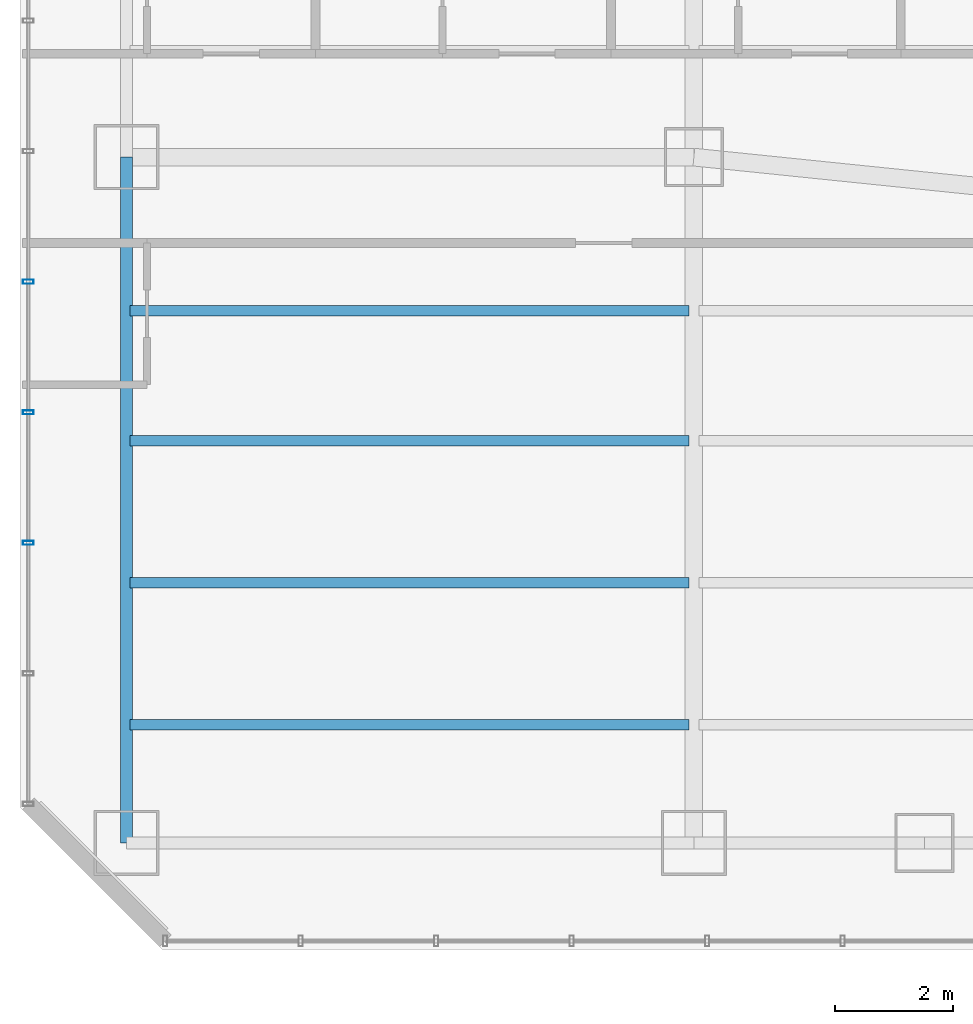
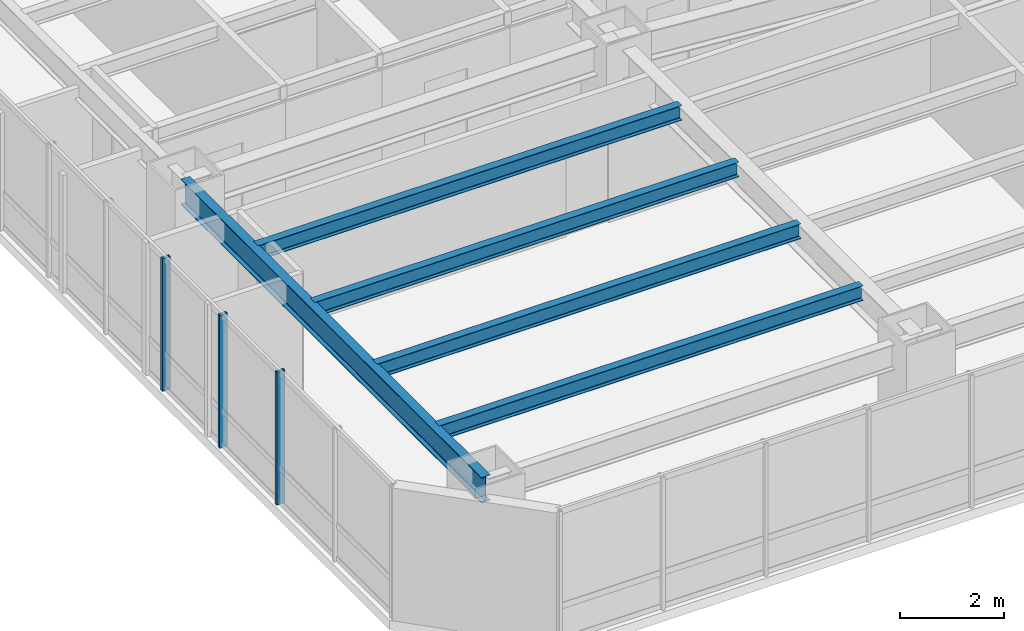
# One storey, part 5 of 33: 5 beams, 3 members, 1 element without a shape of its own.
"""IFC4 building model written with IfcOpenShell, lengths in metres."""

from ifc_helpers import new_model, si_unit, direction, frame, origin, origin_2d, place, context, subcontext, project, spatial, hollow_rectangle, i_section, extrude, material, layer, layer_set, material_profile, profile_set, type_object, element, aggregate, save


model = new_model("IFC4")

# Units and contexts
model_context = context("Model", 3, precision=1e-05, world=origin(), true_north=direction((0.0, 1.0)))
body_context = subcontext(model_context, "Body", "Model", "MODEL_VIEW")
ifc_project = project(units=[si_unit("LENGTHUNIT", "METRE"), si_unit("AREAUNIT", "SQUARE_METRE"), si_unit("VOLUMEUNIT", "CUBIC_METRE"), si_unit("PLANEANGLEUNIT", "RADIAN"), si_unit("MASSUNIT", "GRAM", prefix="KILO")], contexts=[model_context])

# Site, building, storey
site_placement = place(None, origin())
site = spatial("IfcSite", under=ifc_project, at=site_placement, CompositionType="ELEMENT")
building_placement = place(site_placement, origin())
building = spatial("IfcBuilding", under=site, at=building_placement, Name="Hatsunagi Terrace Concourse", CompositionType="ELEMENT")
storey_placement = place(building_placement, frame((0.0, 0.0, 43.300048828125)))
storey = spatial("IfcBuildingStorey", under=building, at=storey_placement, Name="L10", CompositionType="ELEMENT", Elevation=43.300048828125)

# Curtain wall, members
ifc_material_1 = material(Name="Anodised Aluminium Alloy 6063-T5", Category="aluminium")
ifc_layer = layer(ifc_material_1, 0.199951171875)
ifc_layer_set = layer_set([ifc_layer], Name="HotelFacade_CW02")
curtain_wall_type = type_object("IfcCurtainWallType", Name="HotelFacade_CW02", PredefinedType="NOTDEFINED", material=ifc_layer_set)
curtain_wall_placement = place(storey_placement, origin())
curtain_wall = element("IfcCurtainWall", 1, at=curtain_wall_placement, inside=storey, type_object=curtain_wall_type, Name="Unitised Curtain Wall CW-02 CW-L10-09", PredefinedType="NOTDEFINED")
ifc_material_2 = material(Name="Anodised Aluminium Alloy 6063-T5", Category="aluminium")
ifc_material_profile_1 = material_profile(ifc_material_2, hollow_rectangle(XDim=0.070068359375, YDim=0.179931640625, WallThickness=0.00390625, at=origin_2d()), Name="ALU-MUL-180x70x4")
ifc_profile_set_1 = profile_set([ifc_material_profile_1], Name="Anodised Aluminium Alloy 6063-T5")
member_type = type_object("IfcMemberType", Name="CurtainWallMullion_180x70", PredefinedType="MULLION", material=ifc_profile_set_1)
member_1_placement = place(storey_placement, frame((0.139892578125, 30.27490234375, 0.0), z_axis=(0.0, 0.0, 1.0), x_axis=(0.0, 1.0, 0.0)))
member_1 = element("IfcMember", 2, at=member_1_placement, type_object=member_type, Name="Curtain Wall Mullion MUL-02", PredefinedType="MULLION", context=body_context, shape_type="SweptSolid", body=[
    extrude(hollow_rectangle(XDim=0.070068359375, YDim=0.179931640625, WallThickness=0.00390625, at=origin_2d()), origin(), (0.0, 0.0, 1.0), 3.1298828125),
])
member_2_placement = place(storey_placement, frame((0.139892578125, 32.48291015625, 0.0), z_axis=(0.0, 0.0, 1.0), x_axis=(0.0, 1.0, 0.0)))
member_2 = element("IfcMember", 3, at=member_2_placement, type_object=member_type, Name="Curtain Wall Mullion MUL-02", PredefinedType="MULLION", context=body_context, shape_type="SweptSolid", body=[
    extrude(hollow_rectangle(XDim=0.070068359375, YDim=0.179931640625, WallThickness=0.00390625, at=origin_2d()), origin(), (0.0, 0.0, 1.0), 3.1298828125),
])
member_3_placement = place(storey_placement, frame((0.139892578125, 34.69189453125, 0.0), z_axis=(0.0, 0.0, 1.0), x_axis=(0.0, 1.0, 0.0)))
member_3 = element("IfcMember", 4, at=member_3_placement, type_object=member_type, Name="Curtain Wall Mullion MUL-02", PredefinedType="MULLION", context=body_context, shape_type="SweptSolid", body=[
    extrude(hollow_rectangle(XDim=0.070068359375, YDim=0.179931640625, WallThickness=0.00390625, at=origin_2d()), origin(), (0.0, 0.0, 1.0), 3.1298828125),
])
aggregate(curtain_wall, [member_1, member_2, member_3])

# Beams
ifc_material_3 = material(Name="Steel SN490B", Category="steel")
ifc_material_profile_2 = material_profile(ifc_material_3, i_section(OverallWidth=0.175048828125, OverallDepth=0.35009765625, WebThickness=0.007080078125, FlangeThickness=0.010986328125, FilletRadius=0.012939453125, at=origin_2d()), Name="H-350x175x7x11")
ifc_profile_set_2 = profile_set([ifc_material_profile_2], Name="Steel SN490B")
beam_type_1 = type_object("IfcBeamType", Name="HotelJoist_H_350x175", PredefinedType="JOIST", material=ifc_profile_set_2)
for number, where, z_axis, x_axis, name in (
    (5, (1.864990234375, 27.199951171875, 2.954833984375), (1.0, 0.0, 0.0), (0.0, 1.0, 0.0), "Beam J-02 J-L10-W-1-272"),
    (6, (1.864990234375, 29.60009765625, 2.954833984375), (1.0, 0.0, 0.0), (0.0, 1.0, 0.0), "Beam J-02 J-L10-W-1-296"),
    (7, (1.864990234375, 32.0, 2.954833984375), (1.0, 0.0, 0.0), (0.0, 1.0, 0.0), "Beam J-02 J-L10-W-1-320"),
    (8, (1.864990234375, 34.199951171875, 2.954833984375), (1.0, 0.0, 0.0), (0.0, 1.0, 0.0), "Beam J-02 J-L10-W-1-342"),
):
    element("IfcBeam", number, at=place(storey_placement, frame(where, z_axis=z_axis, x_axis=x_axis)), inside=storey, type_object=beam_type_1, Name=name, PredefinedType="JOIST", context=body_context, shape_type="SweptSolid", body=[
        extrude(i_section(OverallWidth=0.175048828125, OverallDepth=0.35009765625, WebThickness=0.007080078125, FlangeThickness=0.010986328125, FilletRadius=0.012939453125, at=origin_2d()), origin(), (0.0, 0.0, 1.0), 9.449951171875),
    ])
ifc_material_4 = material(Name="Steel SN490B", Category="steel")
ifc_material_profile_3 = material_profile(ifc_material_4, i_section(OverallWidth=0.199951171875, OverallDepth=0.60009765625, WebThickness=0.010986328125, FlangeThickness=0.01708984375, FilletRadius=0.01806640625, at=origin_2d()), Name="H-600x200x11x17")
ifc_profile_set_3 = profile_set([ifc_material_profile_3], Name="Steel SN490B")
beam_type_2 = type_object("IfcBeamType", Name="PerimeterSpandrel_H_600x200", PredefinedType="SPANDREL", material=ifc_profile_set_3)
beam_placement = place(storey_placement, frame((1.800048828125, 25.199951171875, 2.829833984375), z_axis=(0.0, 1.0, 0.0), x_axis=(-1.0, 0.0, 0.0)))
element("IfcBeam", 9, at=beam_placement, inside=storey, type_object=beam_type_2, Name="Beam SP-01 BM-L10-NS-1-25", PredefinedType="SPANDREL", context=body_context, shape_type="SweptSolid", body=[
    extrude(i_section(OverallWidth=0.199951171875, OverallDepth=0.60009765625, WebThickness=0.010986328125, FlangeThickness=0.01708984375, FilletRadius=0.01806640625, at=origin_2d()), origin(), (0.0, 0.0, 1.0), 11.60009765625),
])

save(model, "model.ifc")
